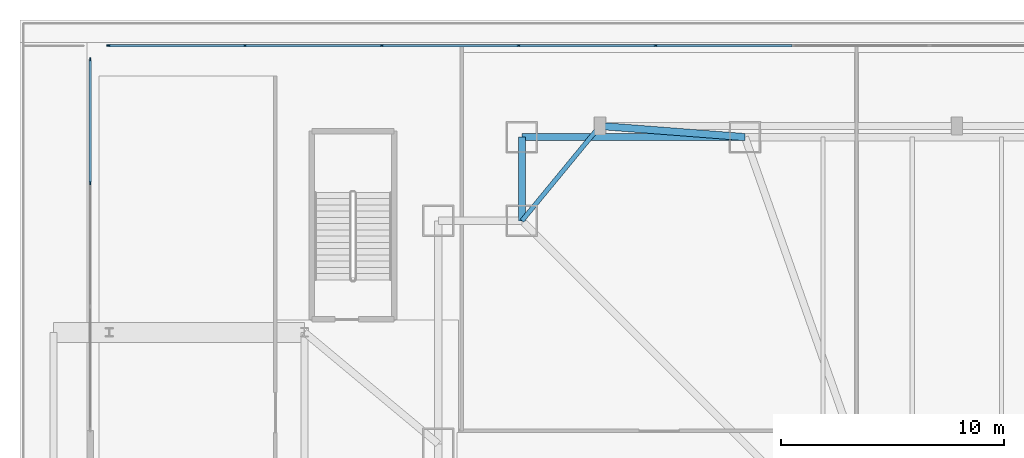
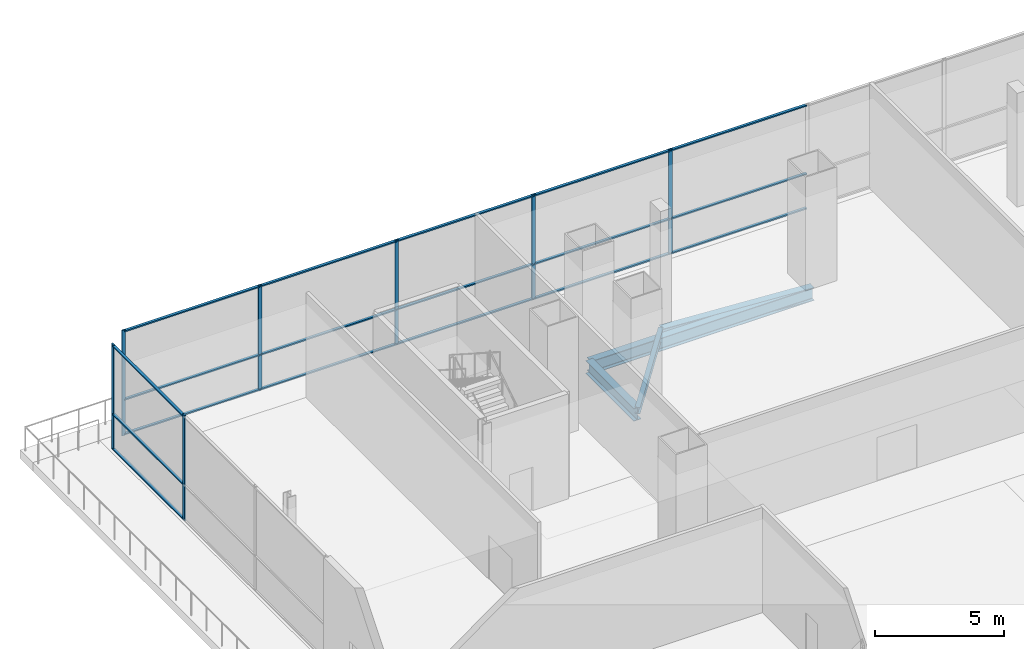
# One storey, part 13 of 36: 25 members, 4 beams, 2 elements without a shape of their own.
"""IFC4 building model written with IfcOpenShell, lengths in metres."""

from ifc_helpers import new_model, si_unit, direction, frame, origin, origin_2d, place, context, subcontext, project, spatial, rectangle, i_section, extrude, material, layer, layer_set, material_profile, profile_set, type_object, element, aggregate, save


model = new_model("IFC4")

# Units and contexts
model_context = context("Model", 3, precision=1e-05, world=origin(), true_north=direction((0.0, 1.0)))
body_context = subcontext(model_context, "Body", "Model", "MODEL_VIEW")
ifc_project = project(units=[si_unit("LENGTHUNIT", "METRE"), si_unit("AREAUNIT", "SQUARE_METRE"), si_unit("VOLUMEUNIT", "CUBIC_METRE"), si_unit("PLANEANGLEUNIT", "RADIAN"), si_unit("MASSUNIT", "GRAM", prefix="KILO")], contexts=[model_context])

# Site, building, storey
site_placement = place(None, origin())
site = spatial("IfcSite", under=ifc_project, at=site_placement, CompositionType="ELEMENT")
building_placement = place(site_placement, origin())
building = spatial("IfcBuilding", under=site, at=building_placement, Name="Trevonay Congress Spire", CompositionType="ELEMENT")
storey_placement = place(building_placement, frame((0.0, 0.0, 5.39990234375)))
storey = spatial("IfcBuildingStorey", under=building, at=storey_placement, Name="L01", CompositionType="ELEMENT", Elevation=5.39990234375)

# Beams
ifc_material_1 = material(Name="Steel ASTM A572 Grade 50", Category="steel")
ifc_material_profile_1 = material_profile(ifc_material_1, i_section(OverallWidth=0.324951171875, OverallDepth=0.615966796875, WebThickness=0.013916015625, FlangeThickness=0.021484375, FilletRadius=0.01806640625, at=origin_2d()), Name="W610x174")
ifc_profile_set_1 = profile_set([ifc_material_profile_1], Name="Steel ASTM A572 Grade 50")
beam_type_1 = type_object("IfcBeamType", Name="BM-GIRD-W610X174", PredefinedType="BEAM", material=ifc_profile_set_1)
beam_1_placement = place(storey_placement, frame((-19.5, 23.25, -0.7080078125), z_axis=(1.0, 0.0, 0.0), x_axis=(0.0, 1.0, 0.0)))
element("IfcBeam", 1, at=beam_1_placement, inside=storey, type_object=beam_type_1, Name="L01 structural beam BM-L01-MN1", PredefinedType="BEAM", context=body_context, shape_type="SweptSolid", body=[
    extrude(i_section(OverallWidth=0.324951171875, OverallDepth=0.615966796875, WebThickness=0.013916015625, FlangeThickness=0.021484375, FilletRadius=0.01806640625, at=origin_2d()), origin(), (0.0, 0.0, 1.0), 10.0),
])
beam_2_placement = place(storey_placement, frame((-19.5, 23.25, -0.7080078125), z_axis=(0.0, -1.0, 0.0), x_axis=(1.0, 0.0, 0.0)))
element("IfcBeam", 2, at=beam_2_placement, inside=storey, type_object=beam_type_1, Name="L01 structural beam BM-L01-CNW", PredefinedType="BEAM", context=body_context, shape_type="SweptSolid", body=[
    extrude(i_section(OverallWidth=0.324951171875, OverallDepth=0.615966796875, WebThickness=0.013916015625, FlangeThickness=0.021484375, FilletRadius=0.01806640625, at=origin_2d()), origin(), (0.0, 0.0, 1.0), 3.75),
])
beam_3_placement = place(storey_placement, frame((-9.5, 23.25, -0.7080078125), z_axis=(-0.997054485502, 0.076696498885, 0.0), x_axis=(-0.076696498885, -0.997054485502, 0.0)))
element("IfcBeam", 3, at=beam_3_placement, inside=storey, type_object=beam_type_1, Name="L01 structural beam BM-L01-PIL-TN1", PredefinedType="BEAM", context=body_context, shape_type="SweptSolid", body=[
    extrude(i_section(OverallWidth=0.324951171875, OverallDepth=0.615966796875, WebThickness=0.013916015625, FlangeThickness=0.021484375, FilletRadius=0.01806640625, at=origin_2d()), origin(), (0.0, 0.0, 1.0), 6.519287109375),
])

# Curtain wall, members
ifc_material_2 = material(Name="Pale Anodised Aluminium EN AW-6063-T6", Category="aluminium")
ifc_layer = layer(ifc_material_2, 0.179931640625, Name="Pale Anodised Aluminium EN AW-6063-T6")
ifc_layer_set = layer_set([ifc_layer], Name="Pale Anodised Aluminium EN AW-6063-T6")
curtain_wall_type = type_object("IfcCurtainWallType", Name="CW-SYS01-PODIUM-PALE-METAL", PredefinedType="NOTDEFINED", material=ifc_layer_set)
curtain_wall_1_placement = place(storey_placement, origin())
curtain_wall_1 = element("IfcCurtainWall", 4, at=curtain_wall_1_placement, inside=storey, type_object=curtain_wall_type, Name="L01 W2 podium curtain wall", PredefinedType="NOTDEFINED")
ifc_material_profile_2 = material_profile(ifc_material_2, rectangle(XDim=0.06005859375, YDim=0.159912109375, at=origin_2d()), Name="CW-MULLION-160-ALUMINIUM")
ifc_profile_set_2 = profile_set([ifc_material_profile_2], Name="Pale Anodised Aluminium EN AW-6063-T6")
member_type_1 = type_object("IfcMemberType", Name="CW-MULLION-160-ALUMINIUM", PredefinedType="MULLION", material=ifc_profile_set_2)
member_1_placement = place(storey_placement, frame((-38.85009765625, 21.199951171875, 0.0), z_axis=(0.0, 0.0, 1.0), x_axis=(-1.0, 0.0, 0.0)))
member_1 = element("IfcMember", 5, at=member_1_placement, type_object=member_type_1, Name="CW01 mullion 3", PredefinedType="MULLION", context=body_context, shape_type="SweptSolid", body=[
    extrude(rectangle(XDim=0.06005859375, YDim=0.159912109375, at=origin_2d()), origin(), (0.0, 0.0, 1.0), 5.0),
])
member_2_placement = place(storey_placement, frame((-38.85009765625, 26.719970703125, 0.0), z_axis=(0.0, 0.0, 1.0), x_axis=(-1.0, 0.0, 0.0)))
member_2 = element("IfcMember", 6, at=member_2_placement, type_object=member_type_1, Name="CW01 mullion 4", PredefinedType="MULLION", context=body_context, shape_type="SweptSolid", body=[
    extrude(rectangle(XDim=0.06005859375, YDim=0.159912109375, at=origin_2d()), origin(), (0.0, 0.0, 1.0), 5.0),
])

curtain_wall_2_placement = place(storey_placement, origin())
curtain_wall_2 = element("IfcCurtainWall", 7, at=curtain_wall_2_placement, inside=storey, type_object=curtain_wall_type, Name="L01 N1 podium curtain wall", PredefinedType="NOTDEFINED")
member_3_placement = place(storey_placement, frame((-38.02001953125, 27.35009765625, 0.0), z_axis=(0.0, 0.0, 1.0), x_axis=(0.0, 1.0, 0.0)))
member_3 = element("IfcMember", 8, at=member_3_placement, type_object=member_type_1, Name="CW01 mullion 1", PredefinedType="MULLION", context=body_context, shape_type="SweptSolid", body=[
    extrude(rectangle(XDim=0.06005859375, YDim=0.159912109375, at=origin_2d()), origin(), (0.0, 0.0, 1.0), 5.0),
])
member_4_placement = place(storey_placement, frame((-31.914306640625, 27.35009765625, 0.0), z_axis=(0.0, 0.0, 1.0), x_axis=(0.0, 1.0, 0.0)))
member_4 = element("IfcMember", 9, at=member_4_placement, type_object=member_type_1, Name="CW01 mullion 2", PredefinedType="MULLION", context=body_context, shape_type="SweptSolid", body=[
    extrude(rectangle(XDim=0.06005859375, YDim=0.159912109375, at=origin_2d()), origin(), (0.0, 0.0, 1.0), 5.0),
])
member_5_placement = place(storey_placement, frame((-25.778564453125, 27.35009765625, 0.0), z_axis=(0.0, 0.0, 1.0), x_axis=(0.0, 1.0, 0.0)))
member_5 = element("IfcMember", 10, at=member_5_placement, type_object=member_type_1, Name="CW01 mullion 3", PredefinedType="MULLION", context=body_context, shape_type="SweptSolid", body=[
    extrude(rectangle(XDim=0.06005859375, YDim=0.159912109375, at=origin_2d()), origin(), (0.0, 0.0, 1.0), 5.0),
])
member_6_placement = place(storey_placement, frame((-19.642822265625, 27.35009765625, 0.0), z_axis=(0.0, 0.0, 1.0), x_axis=(0.0, 1.0, 0.0)))
member_6 = element("IfcMember", 11, at=member_6_placement, type_object=member_type_1, Name="CW01 mullion 4", PredefinedType="MULLION", context=body_context, shape_type="SweptSolid", body=[
    extrude(rectangle(XDim=0.06005859375, YDim=0.159912109375, at=origin_2d()), origin(), (0.0, 0.0, 1.0), 5.0),
])
member_7_placement = place(storey_placement, frame((-13.507080078125, 27.35009765625, 0.0), z_axis=(0.0, 0.0, 1.0), x_axis=(0.0, 1.0, 0.0)))
member_7 = element("IfcMember", 12, at=member_7_placement, type_object=member_type_1, Name="CW01 mullion 5", PredefinedType="MULLION", context=body_context, shape_type="SweptSolid", body=[
    extrude(rectangle(XDim=0.06005859375, YDim=0.159912109375, at=origin_2d()), origin(), (0.0, 0.0, 1.0), 5.0),
])

# Member
ifc_material_profile_3 = material_profile(ifc_material_2, rectangle(XDim=0.1201171875, YDim=0.06005859375, at=origin_2d()), Name="CW-TRANSOM-120-ALUMINIUM")
ifc_profile_set_3 = profile_set([ifc_material_profile_3], Name="Pale Anodised Aluminium EN AW-6063-T6")
member_type_2 = type_object("IfcMemberType", Name="CW-TRANSOM-120-ALUMINIUM", PredefinedType="USERDEFINED", material=ifc_profile_set_3)
member_8_placement = place(storey_placement, frame((-38.85009765625, 21.22998046875, 0.06005859375), z_axis=(0.0, 1.0, 0.0), x_axis=(-1.0, 0.0, 0.0)))
member_8 = element("IfcMember", 13, at=member_8_placement, type_object=member_type_2, Name="CW01 transom 3.1", ObjectType="TRANSOM", PredefinedType="USERDEFINED", context=body_context, shape_type="SweptSolid", body=[
    extrude(rectangle(XDim=0.1201171875, YDim=0.06005859375, at=origin_2d()), origin(), (0.0, 0.0, 1.0), 5.4599609375),
])

member_9_placement = place(storey_placement, frame((-38.85009765625, 21.22998046875, 1.7001953125), z_axis=(0.0, 1.0, 0.0), x_axis=(-1.0, 0.0, 0.0)))
member_9 = element("IfcMember", 14, at=member_9_placement, type_object=member_type_2, Name="CW01 transom 3.2", ObjectType="TRANSOM", PredefinedType="USERDEFINED", context=body_context, shape_type="SweptSolid", body=[
    extrude(rectangle(XDim=0.1201171875, YDim=0.06005859375, at=origin_2d()), origin(), (0.0, 0.0, 1.0), 5.4599609375),
])

member_10_placement = place(storey_placement, frame((-38.85009765625, 21.22998046875, 4.940185546875), z_axis=(0.0, 1.0, 0.0), x_axis=(-1.0, 0.0, 0.0)))
member_10 = element("IfcMember", 15, at=member_10_placement, type_object=member_type_2, Name="CW01 transom 3.3", ObjectType="TRANSOM", PredefinedType="USERDEFINED", context=body_context, shape_type="SweptSolid", body=[
    extrude(rectangle(XDim=0.1201171875, YDim=0.06005859375, at=origin_2d()), origin(), (0.0, 0.0, 1.0), 5.4599609375),
])

aggregate(curtain_wall_1, [member_1, member_2, member_8, member_9, member_10])

member_11_placement = place(storey_placement, frame((-37.989990234375, 27.35009765625, 0.06005859375), z_axis=(1.0, 0.0, 0.0), x_axis=(0.0, 1.0, 0.0)))
member_11 = element("IfcMember", 16, at=member_11_placement, type_object=member_type_2, Name="CW01 transom 1.1", ObjectType="TRANSOM", PredefinedType="USERDEFINED", context=body_context, shape_type="SweptSolid", body=[
    extrude(rectangle(XDim=0.1201171875, YDim=0.06005859375, at=origin_2d()), origin(), (0.0, 0.0, 1.0), 6.045654296875),
])

member_12_placement = place(storey_placement, frame((-37.989990234375, 27.35009765625, 1.7001953125), z_axis=(1.0, 0.0, 0.0), x_axis=(0.0, 1.0, 0.0)))
member_12 = element("IfcMember", 17, at=member_12_placement, type_object=member_type_2, Name="CW01 transom 1.2", ObjectType="TRANSOM", PredefinedType="USERDEFINED", context=body_context, shape_type="SweptSolid", body=[
    extrude(rectangle(XDim=0.1201171875, YDim=0.06005859375, at=origin_2d()), origin(), (0.0, 0.0, 1.0), 6.045654296875),
])

member_13_placement = place(storey_placement, frame((-37.989990234375, 27.35009765625, 4.940185546875), z_axis=(1.0, 0.0, 0.0), x_axis=(0.0, 1.0, 0.0)))
member_13 = element("IfcMember", 18, at=member_13_placement, type_object=member_type_2, Name="CW01 transom 1.3", ObjectType="TRANSOM", PredefinedType="USERDEFINED", context=body_context, shape_type="SweptSolid", body=[
    extrude(rectangle(XDim=0.1201171875, YDim=0.06005859375, at=origin_2d()), origin(), (0.0, 0.0, 1.0), 6.045654296875),
])

member_14_placement = place(storey_placement, frame((-31.88427734375, 27.35009765625, 0.06005859375), z_axis=(1.0, 0.0, 0.0), x_axis=(0.0, 1.0, 0.0)))
member_14 = element("IfcMember", 19, at=member_14_placement, type_object=member_type_2, Name="CW01 transom 2.1", ObjectType="TRANSOM", PredefinedType="USERDEFINED", context=body_context, shape_type="SweptSolid", body=[
    extrude(rectangle(XDim=0.1201171875, YDim=0.06005859375, at=origin_2d()), origin(), (0.0, 0.0, 1.0), 6.07568359375),
])

member_15_placement = place(storey_placement, frame((-31.88427734375, 27.35009765625, 1.7001953125), z_axis=(1.0, 0.0, 0.0), x_axis=(0.0, 1.0, 0.0)))
member_15 = element("IfcMember", 20, at=member_15_placement, type_object=member_type_2, Name="CW01 transom 2.2", ObjectType="TRANSOM", PredefinedType="USERDEFINED", context=body_context, shape_type="SweptSolid", body=[
    extrude(rectangle(XDim=0.1201171875, YDim=0.06005859375, at=origin_2d()), origin(), (0.0, 0.0, 1.0), 6.07568359375),
])

member_16_placement = place(storey_placement, frame((-31.88427734375, 27.35009765625, 4.940185546875), z_axis=(1.0, 0.0, 0.0), x_axis=(0.0, 1.0, 0.0)))
member_16 = element("IfcMember", 21, at=member_16_placement, type_object=member_type_2, Name="CW01 transom 2.3", ObjectType="TRANSOM", PredefinedType="USERDEFINED", context=body_context, shape_type="SweptSolid", body=[
    extrude(rectangle(XDim=0.1201171875, YDim=0.06005859375, at=origin_2d()), origin(), (0.0, 0.0, 1.0), 6.07568359375),
])

member_17_placement = place(storey_placement, frame((-25.74853515625, 27.35009765625, 0.06005859375), z_axis=(1.0, 0.0, 0.0), x_axis=(0.0, 1.0, 0.0)))
member_17 = element("IfcMember", 22, at=member_17_placement, type_object=member_type_2, Name="CW01 transom 3.1", ObjectType="TRANSOM", PredefinedType="USERDEFINED", context=body_context, shape_type="SweptSolid", body=[
    extrude(rectangle(XDim=0.1201171875, YDim=0.06005859375, at=origin_2d()), origin(), (0.0, 0.0, 1.0), 6.07568359375),
])

member_18_placement = place(storey_placement, frame((-25.74853515625, 27.35009765625, 1.7001953125), z_axis=(1.0, 0.0, 0.0), x_axis=(0.0, 1.0, 0.0)))
member_18 = element("IfcMember", 23, at=member_18_placement, type_object=member_type_2, Name="CW01 transom 3.2", ObjectType="TRANSOM", PredefinedType="USERDEFINED", context=body_context, shape_type="SweptSolid", body=[
    extrude(rectangle(XDim=0.1201171875, YDim=0.06005859375, at=origin_2d()), origin(), (0.0, 0.0, 1.0), 6.07568359375),
])

member_19_placement = place(storey_placement, frame((-25.74853515625, 27.35009765625, 4.940185546875), z_axis=(1.0, 0.0, 0.0), x_axis=(0.0, 1.0, 0.0)))
member_19 = element("IfcMember", 24, at=member_19_placement, type_object=member_type_2, Name="CW01 transom 3.3", ObjectType="TRANSOM", PredefinedType="USERDEFINED", context=body_context, shape_type="SweptSolid", body=[
    extrude(rectangle(XDim=0.1201171875, YDim=0.06005859375, at=origin_2d()), origin(), (0.0, 0.0, 1.0), 6.07568359375),
])

member_20_placement = place(storey_placement, frame((-19.61279296875, 27.35009765625, 0.06005859375), z_axis=(1.0, 0.0, 0.0), x_axis=(0.0, 1.0, 0.0)))
member_20 = element("IfcMember", 25, at=member_20_placement, type_object=member_type_2, Name="CW01 transom 4.1", ObjectType="TRANSOM", PredefinedType="USERDEFINED", context=body_context, shape_type="SweptSolid", body=[
    extrude(rectangle(XDim=0.1201171875, YDim=0.06005859375, at=origin_2d()), origin(), (0.0, 0.0, 1.0), 6.07568359375),
])

member_21_placement = place(storey_placement, frame((-19.61279296875, 27.35009765625, 1.7001953125), z_axis=(1.0, 0.0, 0.0), x_axis=(0.0, 1.0, 0.0)))
member_21 = element("IfcMember", 26, at=member_21_placement, type_object=member_type_2, Name="CW01 transom 4.2", ObjectType="TRANSOM", PredefinedType="USERDEFINED", context=body_context, shape_type="SweptSolid", body=[
    extrude(rectangle(XDim=0.1201171875, YDim=0.06005859375, at=origin_2d()), origin(), (0.0, 0.0, 1.0), 6.07568359375),
])

member_22_placement = place(storey_placement, frame((-19.61279296875, 27.35009765625, 4.940185546875), z_axis=(1.0, 0.0, 0.0), x_axis=(0.0, 1.0, 0.0)))
member_22 = element("IfcMember", 27, at=member_22_placement, type_object=member_type_2, Name="CW01 transom 4.3", ObjectType="TRANSOM", PredefinedType="USERDEFINED", context=body_context, shape_type="SweptSolid", body=[
    extrude(rectangle(XDim=0.1201171875, YDim=0.06005859375, at=origin_2d()), origin(), (0.0, 0.0, 1.0), 6.07568359375),
])

member_23_placement = place(storey_placement, frame((-13.47705078125, 27.35009765625, 0.06005859375), z_axis=(1.0, 0.0, 0.0), x_axis=(0.0, 1.0, 0.0)))
member_23 = element("IfcMember", 28, at=member_23_placement, type_object=member_type_2, Name="CW01 transom 5.1", ObjectType="TRANSOM", PredefinedType="USERDEFINED", context=body_context, shape_type="SweptSolid", body=[
    extrude(rectangle(XDim=0.1201171875, YDim=0.06005859375, at=origin_2d()), origin(), (0.0, 0.0, 1.0), 6.07568359375),
])

member_24_placement = place(storey_placement, frame((-13.47705078125, 27.35009765625, 1.7001953125), z_axis=(1.0, 0.0, 0.0), x_axis=(0.0, 1.0, 0.0)))
member_24 = element("IfcMember", 29, at=member_24_placement, type_object=member_type_2, Name="CW01 transom 5.2", ObjectType="TRANSOM", PredefinedType="USERDEFINED", context=body_context, shape_type="SweptSolid", body=[
    extrude(rectangle(XDim=0.1201171875, YDim=0.06005859375, at=origin_2d()), origin(), (0.0, 0.0, 1.0), 6.07568359375),
])

member_25_placement = place(storey_placement, frame((-13.47705078125, 27.35009765625, 4.940185546875), z_axis=(1.0, 0.0, 0.0), x_axis=(0.0, 1.0, 0.0)))
member_25 = element("IfcMember", 30, at=member_25_placement, type_object=member_type_2, Name="CW01 transom 5.3", ObjectType="TRANSOM", PredefinedType="USERDEFINED", context=body_context, shape_type="SweptSolid", body=[
    extrude(rectangle(XDim=0.1201171875, YDim=0.06005859375, at=origin_2d()), origin(), (0.0, 0.0, 1.0), 6.07568359375),
])

aggregate(curtain_wall_2, [member_3, member_4, member_5, member_6, member_7, member_11, member_12, member_13, member_14, member_15, member_16, member_17, member_18, member_19, member_20, member_21, member_22, member_23, member_24, member_25])

# Beam
ifc_material_profile_4 = material_profile(ifc_material_1, i_section(OverallWidth=0.2041015625, OverallDepth=0.305908203125, WebThickness=0.008544921875, FlangeThickness=0.0146484375, FilletRadius=0.010986328125, at=origin_2d()), Name="W310x67")
ifc_profile_set_4 = profile_set([ifc_material_profile_4], Name="Steel ASTM A572 Grade 50")
beam_type_2 = type_object("IfcBeamType", Name="SPB-W310X67", PredefinedType="SPANDREL", material=ifc_profile_set_4)
beam_4_placement = place(storey_placement, frame((-16.0, 23.75, -0.552978515625), z_axis=(-0.635707252861, -0.771930235617, 0.0), x_axis=(0.771930235617, -0.635707252861, 0.0)))
element("IfcBeam", 31, at=beam_4_placement, inside=storey, type_object=beam_type_2, Name="L01 structural beam SPB-L01-NW", PredefinedType="SPANDREL", context=body_context, shape_type="SweptSolid", body=[
    extrude(i_section(OverallWidth=0.2041015625, OverallDepth=0.305908203125, WebThickness=0.008544921875, FlangeThickness=0.0146484375, FilletRadius=0.010986328125, at=origin_2d()), origin(), (0.0, 0.0, 1.0), 5.505615234375),
])

save(model, "model.ifc")
